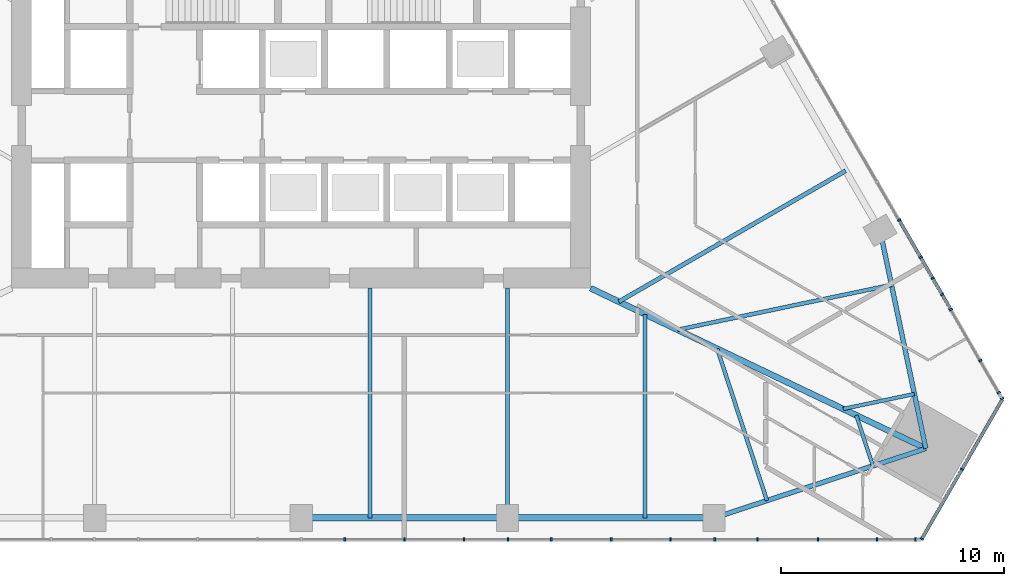
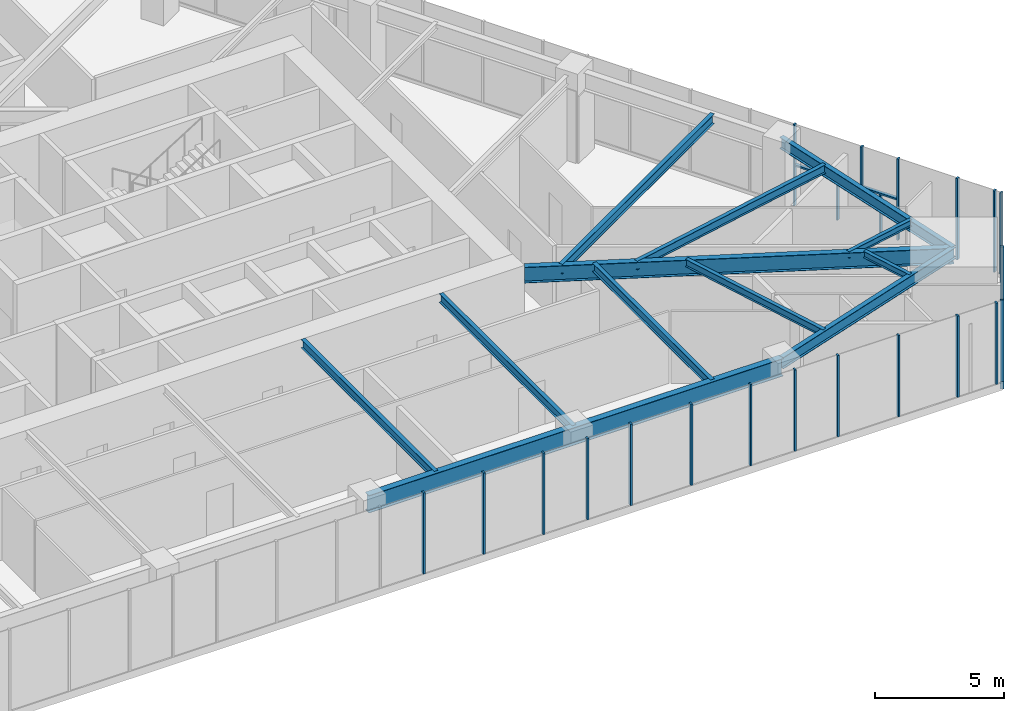
# One storey, part 6 of 22: 24 members, 12 beams, 3 elements without a shape of their own.
"""IFC4 building model written with IfcOpenShell, lengths in metres."""

from ifc_helpers import new_model, si_unit, direction, frame, origin, origin_2d, place, context, subcontext, project, spatial, rectangle, i_section, extrude, material, layer, layer_set, material_profile, profile_set, type_object, element, aggregate, save


model = new_model("IFC4")

# Units and contexts
model_context = context("Model", 3, precision=1e-05, world=origin(), true_north=direction((0.0, 1.0)))
body_context = subcontext(model_context, "Body", "Model", "MODEL_VIEW")
ifc_project = project(units=[si_unit("LENGTHUNIT", "METRE"), si_unit("AREAUNIT", "SQUARE_METRE"), si_unit("VOLUMEUNIT", "CUBIC_METRE"), si_unit("PLANEANGLEUNIT", "RADIAN"), si_unit("MASSUNIT", "GRAM", prefix="KILO")], contexts=[model_context])

# Site, building, storey
site_placement = place(None, origin())
site = spatial("IfcSite", under=ifc_project, at=site_placement, CompositionType="ELEMENT")
building_placement = place(site_placement, origin())
building = spatial("IfcBuilding", under=site, at=building_placement, Name="Firuza Gate Tower and Library", CompositionType="ELEMENT")
storey_placement = place(building_placement, frame((0.0, 0.0, 128.199951171875)))
storey = spatial("IfcBuildingStorey", under=building, at=storey_placement, Name="L29", CompositionType="ELEMENT", Elevation=128.199951171875)

# Curtain wall, members
ifc_material_1 = material(Name="Aluminium 6063-T6", Category="aluminium")
ifc_layer_1 = layer(ifc_material_1, 0.14990234375)
ifc_layer_set_1 = layer_set([ifc_layer_1], Name="Unitised curtain wall, offices")
curtain_wall_type_1 = type_object("IfcCurtainWallType", Name="Unitised curtain wall, offices", PredefinedType="NOTDEFINED", material=ifc_layer_set_1)
placement = place(storey_placement, origin())
curtain_wall_1 = element("IfcCurtainWall", 1, at=placement, inside=storey, type_object=curtain_wall_type_1, Name="CW1 L29 S face", PredefinedType="NOTDEFINED")
ifc_material_2 = material(Name="Aluminium 6063-T6", Category="aluminium")
ifc_material_profile_1 = material_profile(ifc_material_2, rectangle(XDim=0.14990234375, YDim=0.080078125, at=origin_2d()))
ifc_profile_set_1 = profile_set([ifc_material_profile_1], Name="Aluminium 6063-T6")
member_type_1 = type_object("IfcMemberType", Name="Curtain wall mullion 80x150", PredefinedType="MULLION", material=ifc_profile_set_1)
member_1_placement = place(storey_placement, frame((79.643310546875, 54.7080078125, 0.150146484375), z_axis=(0.0, 0.0, 1.0), x_axis=(0.0, 1.0, 0.0)))
member_1 = element("IfcMember", 2, at=member_1_placement, type_object=member_type_1, Name="Mullion", PredefinedType="MULLION", context=body_context, shape_type="SweptSolid", body=[
    extrude(rectangle(XDim=0.14990234375, YDim=0.080078125, at=origin_2d()), origin(), (0.0, 0.0, 1.0), 3.849853515625),
])
member_2_placement = place(storey_placement, frame((84.28662109375, 54.7080078125, 0.150146484375), z_axis=(0.0, 0.0, 1.0), x_axis=(0.0, 1.0, 0.0)))
member_2 = element("IfcMember", 3, at=member_2_placement, type_object=member_type_1, Name="Mullion", PredefinedType="MULLION", context=body_context, shape_type="SweptSolid", body=[
    extrude(rectangle(XDim=0.14990234375, YDim=0.080078125, at=origin_2d()), origin(), (0.0, 0.0, 1.0), 3.849853515625),
])
member_3_placement = place(storey_placement, frame((88.93017578125, 54.7080078125, 0.150146484375), z_axis=(0.0, 0.0, 1.0), x_axis=(0.0, 1.0, 0.0)))
member_3 = element("IfcMember", 4, at=member_3_placement, type_object=member_type_1, Name="Mullion", PredefinedType="MULLION", context=body_context, shape_type="SweptSolid", body=[
    extrude(rectangle(XDim=0.14990234375, YDim=0.080078125, at=origin_2d()), origin(), (0.0, 0.0, 1.0), 3.849853515625),
])
member_4_placement = place(storey_placement, frame((93.573486328125, 54.7080078125, 0.150146484375), z_axis=(0.0, 0.0, 1.0), x_axis=(0.0, 1.0, 0.0)))
member_4 = element("IfcMember", 5, at=member_4_placement, type_object=member_type_1, Name="Mullion", PredefinedType="MULLION", context=body_context, shape_type="SweptSolid", body=[
    extrude(rectangle(XDim=0.14990234375, YDim=0.080078125, at=origin_2d()), origin(), (0.0, 0.0, 1.0), 3.849853515625),
])
member_5_placement = place(storey_placement, frame((98.216796875, 54.7080078125, 0.150146484375), z_axis=(0.0, 0.0, 1.0), x_axis=(0.0, 1.0, 0.0)))
member_5 = element("IfcMember", 6, at=member_5_placement, type_object=member_type_1, Name="Mullion", PredefinedType="MULLION", context=body_context, shape_type="SweptSolid", body=[
    extrude(rectangle(XDim=0.14990234375, YDim=0.080078125, at=origin_2d()), origin(), (0.0, 0.0, 1.0), 3.849853515625),
])
member_6_placement = place(storey_placement, frame((76.9560546875, 54.7080078125, 0.150146484375), z_axis=(0.0, 0.0, 1.0), x_axis=(0.0, 1.0, 0.0)))
member_6 = element("IfcMember", 7, at=member_6_placement, type_object=member_type_1, Name="Mullion", PredefinedType="MULLION", context=body_context, shape_type="SweptSolid", body=[
    extrude(rectangle(XDim=0.14990234375, YDim=0.080078125, at=origin_2d()), origin(), (0.0, 0.0, 1.0), 3.849853515625),
])
member_7_placement = place(storey_placement, frame((82.316162109375, 54.7080078125, 0.150146484375), z_axis=(0.0, 0.0, 1.0), x_axis=(0.0, 1.0, 0.0)))
member_7 = element("IfcMember", 8, at=member_7_placement, type_object=member_type_1, Name="Mullion", PredefinedType="MULLION", context=body_context, shape_type="SweptSolid", body=[
    extrude(rectangle(XDim=0.14990234375, YDim=0.080078125, at=origin_2d()), origin(), (0.0, 0.0, 1.0), 3.849853515625),
])
member_8_placement = place(storey_placement, frame((86.228271484375, 54.7080078125, 0.150146484375), z_axis=(0.0, 0.0, 1.0), x_axis=(0.0, 1.0, 0.0)))
member_8 = element("IfcMember", 9, at=member_8_placement, type_object=member_type_1, Name="Mullion", PredefinedType="MULLION", context=body_context, shape_type="SweptSolid", body=[
    extrude(rectangle(XDim=0.14990234375, YDim=0.080078125, at=origin_2d()), origin(), (0.0, 0.0, 1.0), 3.849853515625),
])
member_9_placement = place(storey_placement, frame((91.58837890625, 54.7080078125, 0.150146484375), z_axis=(0.0, 0.0, 1.0), x_axis=(0.0, 1.0, 0.0)))
member_9 = element("IfcMember", 10, at=member_9_placement, type_object=member_type_1, Name="Mullion", PredefinedType="MULLION", context=body_context, shape_type="SweptSolid", body=[
    extrude(rectangle(XDim=0.14990234375, YDim=0.080078125, at=origin_2d()), origin(), (0.0, 0.0, 1.0), 3.849853515625),
])
member_10_placement = place(storey_placement, frame((95.500732421875, 54.7080078125, 0.150146484375), z_axis=(0.0, 0.0, 1.0), x_axis=(0.0, 1.0, 0.0)))
member_10 = element("IfcMember", 11, at=member_10_placement, type_object=member_type_1, Name="Mullion", PredefinedType="MULLION", context=body_context, shape_type="SweptSolid", body=[
    extrude(rectangle(XDim=0.14990234375, YDim=0.080078125, at=origin_2d()), origin(), (0.0, 0.0, 1.0), 3.849853515625),
])
member_11_placement = place(storey_placement, frame((100.86083984375, 54.7080078125, 0.150146484375), z_axis=(0.0, 0.0, 1.0), x_axis=(0.0, 1.0, 0.0)))
member_11 = element("IfcMember", 12, at=member_11_placement, type_object=member_type_1, Name="Mullion", PredefinedType="MULLION", context=body_context, shape_type="SweptSolid", body=[
    extrude(rectangle(XDim=0.14990234375, YDim=0.080078125, at=origin_2d()), origin(), (0.0, 0.0, 1.0), 3.849853515625),
])
member_12_placement = place(storey_placement, frame((102.593994140625, 54.7080078125, 0.150146484375), z_axis=(0.0, 0.0, 1.0), x_axis=(0.0, 1.0, 0.0)))
member_12 = element("IfcMember", 13, at=member_12_placement, type_object=member_type_1, Name="Mullion", PredefinedType="MULLION", context=body_context, shape_type="SweptSolid", body=[
    extrude(rectangle(XDim=0.14990234375, YDim=0.080078125, at=origin_2d()), origin(), (0.0, 0.0, 1.0), 3.849853515625),
])
aggregate(curtain_wall_1, [member_1, member_2, member_3, member_4, member_5, member_6, member_7, member_8, member_9, member_10, member_11, member_12])

ifc_material_3 = material(Name="Aluminium 6063-T6", Category="aluminium")
ifc_layer_2 = layer(ifc_material_3, 0.14990234375)
ifc_layer_set_2 = layer_set([ifc_layer_2], Name="Corner curtain wall, chamfers")
curtain_wall_type_2 = type_object("IfcCurtainWallType", Name="Corner curtain wall, chamfers", PredefinedType="NOTDEFINED", material=ifc_layer_set_2)
curtain_wall_2 = element("IfcCurtainWall", 14, at=placement, inside=storey, type_object=curtain_wall_type_2, Name="CW4 L29 SE corner", PredefinedType="NOTDEFINED")
member_13_placement = place(storey_placement, frame((102.880126953125, 54.74267578125, 0.150146484375), z_axis=(0.0, 0.0, 1.0), x_axis=(-0.866025403784, 0.5, 0.0)))
member_13 = element("IfcMember", 15, at=member_13_placement, type_object=member_type_1, Name="Mullion", PredefinedType="MULLION", context=body_context, shape_type="SweptSolid", body=[
    extrude(rectangle(XDim=0.14990234375, YDim=0.080078125, at=origin_2d()), origin(), (0.0, 0.0, 1.0), 3.849853515625),
])
member_14_placement = place(storey_placement, frame((104.681884765625, 57.86328125, 0.150146484375), z_axis=(0.0, 0.0, 1.0), x_axis=(-0.866025403784, 0.5, 0.0)))
member_14 = element("IfcMember", 16, at=member_14_placement, type_object=member_type_1, Name="Mullion", PredefinedType="MULLION", context=body_context, shape_type="SweptSolid", body=[
    extrude(rectangle(XDim=0.14990234375, YDim=0.080078125, at=origin_2d()), origin(), (0.0, 0.0, 1.0), 3.849853515625),
])

curtain_wall_3 = element("IfcCurtainWall", 17, at=placement, inside=storey, type_object=curtain_wall_type_1, Name="CW1 L29 E face", PredefinedType="NOTDEFINED")
member_15_placement = place(storey_placement, frame((106.4833984375, 61.052978515625, 0.150146484375), z_axis=(0.0, 0.0, 1.0), x_axis=(-0.866025403784, -0.5, 0.0)))
member_15 = element("IfcMember", 18, at=member_15_placement, type_object=member_type_1, Name="Mullion", PredefinedType="MULLION", context=body_context, shape_type="SweptSolid", body=[
    extrude(rectangle(XDim=0.14990234375, YDim=0.080078125, at=origin_2d()), origin(), (0.0, 0.0, 1.0), 3.849853515625),
])
member_16_placement = place(storey_placement, frame((104.181884765625, 65.03955078125, 0.150146484375), z_axis=(0.0, 0.0, 1.0), x_axis=(-0.866025403784, -0.5, 0.0)))
member_16 = element("IfcMember", 19, at=member_16_placement, type_object=member_type_1, Name="Mullion", PredefinedType="MULLION", context=body_context, shape_type="SweptSolid", body=[
    extrude(rectangle(XDim=0.14990234375, YDim=0.080078125, at=origin_2d()), origin(), (0.0, 0.0, 1.0), 3.849853515625),
])
member_17_placement = place(storey_placement, frame((101.860107421875, 69.06103515625, 0.150146484375), z_axis=(0.0, 0.0, 1.0), x_axis=(-0.866025403784, -0.5, 0.0)))
member_17 = element("IfcMember", 20, at=member_17_placement, type_object=member_type_1, Name="Mullion", PredefinedType="MULLION", context=body_context, shape_type="SweptSolid", body=[
    extrude(rectangle(XDim=0.14990234375, YDim=0.080078125, at=origin_2d()), origin(), (0.0, 0.0, 1.0), 3.849853515625),
])
member_18_placement = place(storey_placement, frame((106.337890625, 61.30517578125, 0.150146484375), z_axis=(0.0, 0.0, 1.0), x_axis=(-0.866025403784, -0.5, 0.0)))
member_18 = element("IfcMember", 21, at=member_18_placement, type_object=member_type_1, Name="Mullion", PredefinedType="MULLION", context=body_context, shape_type="SweptSolid", body=[
    extrude(rectangle(XDim=0.14990234375, YDim=0.080078125, at=origin_2d()), origin(), (0.0, 0.0, 1.0), 3.849853515625),
])
member_19_placement = place(storey_placement, frame((105.503662109375, 62.75, 0.150146484375), z_axis=(0.0, 0.0, 1.0), x_axis=(-0.866025403784, -0.5, 0.0)))
member_19 = element("IfcMember", 22, at=member_19_placement, type_object=member_type_1, Name="Mullion", PredefinedType="MULLION", context=body_context, shape_type="SweptSolid", body=[
    extrude(rectangle(XDim=0.14990234375, YDim=0.080078125, at=origin_2d()), origin(), (0.0, 0.0, 1.0), 3.849853515625),
])
member_20_placement = place(storey_placement, frame((103.78857421875, 65.720458984375, 0.150146484375), z_axis=(0.0, 0.0, 1.0), x_axis=(-0.866025403784, -0.5, 0.0)))
member_20 = element("IfcMember", 23, at=member_20_placement, type_object=member_type_1, Name="Mullion", PredefinedType="MULLION", context=body_context, shape_type="SweptSolid", body=[
    extrude(rectangle(XDim=0.14990234375, YDim=0.080078125, at=origin_2d()), origin(), (0.0, 0.0, 1.0), 1.885009765625),
])
member_21_placement = place(storey_placement, frame((102.82373046875, 67.391845703125, 0.150146484375), z_axis=(0.0, 0.0, 1.0), x_axis=(-0.866025403784, -0.5, 0.0)))
member_21 = element("IfcMember", 24, at=member_21_placement, type_object=member_type_1, Name="Mullion", PredefinedType="MULLION", context=body_context, shape_type="SweptSolid", body=[
    extrude(rectangle(XDim=0.14990234375, YDim=0.080078125, at=origin_2d()), origin(), (0.0, 0.0, 1.0), 1.885009765625),
])
member_22_placement = place(storey_placement, frame((103.365966796875, 66.45263671875, 2.114990234375), z_axis=(0.0, 0.0, 1.0), x_axis=(-0.866025403784, -0.5, 0.0)))
member_22 = element("IfcMember", 25, at=member_22_placement, type_object=member_type_1, Name="Mullion", PredefinedType="MULLION", context=body_context, shape_type="SweptSolid", body=[
    extrude(rectangle(XDim=0.14990234375, YDim=0.080078125, at=origin_2d()), origin(), (0.0, 0.0, 1.0), 1.885009765625),
])

# Member
ifc_material_4 = material(Name="Aluminium 6063-T6", Category="aluminium")
ifc_material_profile_2 = material_profile(ifc_material_4, rectangle(XDim=0.14990234375, YDim=0.35009765625, at=origin_2d()))
ifc_profile_set_2 = profile_set([ifc_material_profile_2], Name="Aluminium 6063-T6")
member_type_2 = type_object("IfcMemberType", Name="Curtain wall transom 350x150", PredefinedType="USERDEFINED", material=ifc_profile_set_2)
member_23_placement = place(storey_placement, frame((102.860107421875, 54.7080078125, -0.02490234375), z_axis=(0.500005719219, 0.866022101766, 0.0), x_axis=(-0.866022101766, 0.500005719219, 0.0)))
member_23 = element("IfcMember", 26, at=member_23_placement, type_object=member_type_2, Name="Transom", ObjectType="TRANSOM", PredefinedType="USERDEFINED", context=body_context, shape_type="SweptSolid", body=[
    extrude(rectangle(XDim=0.14990234375, YDim=0.35009765625, at=origin_2d()), origin(), (0.0, 0.0, 1.0), 7.28662109375),
])

aggregate(curtain_wall_2, [member_13, member_14, member_23])

ifc_material_5 = material(Name="Aluminium 6063-T6", Category="aluminium")
ifc_material_profile_3 = material_profile(ifc_material_5, rectangle(XDim=0.14990234375, YDim=0.080078125, at=origin_2d()))
ifc_profile_set_3 = profile_set([ifc_material_profile_3], Name="Aluminium 6063-T6")
member_type_3 = type_object("IfcMemberType", Name="Curtain wall transom 80x150", PredefinedType="USERDEFINED", material=ifc_profile_set_3)
member_24_placement = place(storey_placement, frame((104.161865234375, 65.07421875, 2.074951171875), z_axis=(-0.499994135611, 0.866028789565, 0.0), x_axis=(-0.866028789565, -0.499994135611, 0.0)))
member_24 = element("IfcMember", 27, at=member_24_placement, type_object=member_type_3, Name="Transom", ObjectType="TRANSOM", PredefinedType="USERDEFINED", context=body_context, shape_type="SweptSolid", body=[
    extrude(rectangle(XDim=0.14990234375, YDim=0.080078125, at=origin_2d()), origin(), (0.0, 0.0, 1.0), 4.5634765625),
])

aggregate(curtain_wall_3, [member_15, member_16, member_17, member_18, member_19, member_20, member_21, member_22, member_24])

# Beams
ifc_material_6 = material(Name="Steel S355", Category="steel")
ifc_material_profile_4 = material_profile(ifc_material_6, i_section(OverallWidth=0.1650390625, OverallDepth=0.31005859375, WebThickness=0.005859375, FlangeThickness=0.009765625, at=origin_2d()))
ifc_profile_set_4 = profile_set([ifc_material_profile_4], Name="Steel S355")
beam_type_1 = type_object("IfcBeamType", Name="W310x39 Floor beam", PredefinedType="JOIST", material=ifc_profile_set_4)
beam_1_placement = place(storey_placement, frame((100.6796875, 58.021240234375, 3.844970703125), z_axis=(-0.311446407366, 0.950263718837, 0.0), x_axis=(-0.950263718837, -0.311446407366, 0.0)))
element("IfcBeam", 28, at=beam_1_placement, inside=storey, type_object=beam_type_1, Name="Floor beam L29 s31", PredefinedType="JOIST", context=body_context, shape_type="SweptSolid", body=[
    extrude(i_section(OverallWidth=0.1650390625, OverallDepth=0.31005859375, WebThickness=0.005859375, FlangeThickness=0.009765625, at=origin_2d()), origin(), (0.0, 0.0, 1.0), 2.3916015625),
])
beam_2_placement = place(storey_placement, frame((102.5439453125, 61.250244140625, 3.844970703125), z_axis=(-0.978668348175, -0.2054464998, 0.0), x_axis=(0.2054464998, -0.978668348175, 0.0)))
element("IfcBeam", 29, at=beam_2_placement, inside=storey, type_object=beam_type_1, Name="Floor beam L29 s40", PredefinedType="JOIST", context=body_context, shape_type="SweptSolid", body=[
    extrude(i_section(OverallWidth=0.1650390625, OverallDepth=0.31005859375, WebThickness=0.005859375, FlangeThickness=0.009765625, at=origin_2d()), origin(), (0.0, 0.0, 1.0), 3.272705078125),
])
ifc_material_7 = material(Name="Steel S355", Category="steel")
ifc_material_profile_5 = material_profile(ifc_material_7, i_section(OverallWidth=0.1708984375, OverallDepth=0.35498046875, WebThickness=0.007080078125, FlangeThickness=0.01171875, at=origin_2d()))
ifc_profile_set_5 = profile_set([ifc_material_profile_5], Name="Steel S355")
beam_type_2 = type_object("IfcBeamType", Name="W360x51 Floor beam", PredefinedType="JOIST", material=ifc_profile_set_5)
beam_3_placement = place(storey_placement, frame((95.9228515625, 56.46240234375, 3.822509765625), z_axis=(-0.311395022273, 0.950280558627, 0.0), x_axis=(-0.950280558627, -0.311395022273, 0.0)))
element("IfcBeam", 30, at=beam_3_placement, inside=storey, type_object=beam_type_2, Name="Floor beam L29 s30", PredefinedType="JOIST", context=body_context, shape_type="SweptSolid", body=[
    extrude(i_section(OverallWidth=0.1708984375, OverallDepth=0.35498046875, WebThickness=0.007080078125, FlangeThickness=0.01171875, at=origin_2d()), origin(), (0.0, 0.0, 1.0), 7.174560546875),
])
ifc_material_8 = material(Name="Steel S355", Category="steel")
ifc_material_profile_6 = material_profile(ifc_material_8, i_section(OverallWidth=0.177978515625, OverallDepth=0.406982421875, WebThickness=0.0078125, FlangeThickness=0.0126953125, at=origin_2d()))
ifc_profile_set_6 = profile_set([ifc_material_profile_6], Name="Steel S355")
beam_type_3 = type_object("IfcBeamType", Name="W410x60 Floor beam", PredefinedType="JOIST", material=ifc_profile_set_6)
for number, where, z_axis, x_axis, name in (
    (31, (78.0908203125, 55.68310546875, 3.796630859375), (0.0, 1.0, 0.0), (-1.0, 0.0, 0.0), "Floor beam L29 s23"),
    (32, (84.272216796875, 55.68310546875, 3.796630859375), (0.0, 1.0, 0.0), (-1.0, 0.0, 0.0), "Floor beam L29 s24"),
):
    element("IfcBeam", number, at=place(storey_placement, frame(where, z_axis=z_axis, x_axis=x_axis)), inside=storey, type_object=beam_type_3, Name=name, PredefinedType="JOIST", context=body_context, shape_type="SweptSolid", body=[
        extrude(i_section(OverallWidth=0.177978515625, OverallDepth=0.406982421875, WebThickness=0.0078125, FlangeThickness=0.0126953125, at=origin_2d()), origin(), (0.0, 0.0, 1.0), 10.31689453125),
    ])
beam_4_placement = place(storey_placement, frame((90.453857421875, 55.68310546875, 3.796630859375), z_axis=(0.0, 1.0, 0.0), x_axis=(-1.0, 0.0, 0.0)))
element("IfcBeam", 33, at=beam_4_placement, inside=storey, type_object=beam_type_3, Name="Floor beam L29 s25", PredefinedType="JOIST", context=body_context, shape_type="SweptSolid", body=[
    extrude(i_section(OverallWidth=0.177978515625, OverallDepth=0.406982421875, WebThickness=0.0078125, FlangeThickness=0.0126953125, at=origin_2d()), origin(), (0.0, 0.0, 1.0), 9.143798828125),
])
beam_5_placement = place(storey_placement, frame((101.515380859375, 66.14892578125, 3.796630859375), z_axis=(-0.978672298286, -0.205427682085, 0.0), x_axis=(0.205427682085, -0.978672298286, 0.0)))
element("IfcBeam", 34, at=beam_5_placement, inside=storey, type_object=beam_type_3, Name="Floor beam L29 s41", PredefinedType="JOIST", context=body_context, shape_type="SweptSolid", body=[
    extrude(i_section(OverallWidth=0.177978515625, OverallDepth=0.406982421875, WebThickness=0.0078125, FlangeThickness=0.0126953125, at=origin_2d()), origin(), (0.0, 0.0, 1.0), 9.81787109375),
])
ifc_material_9 = material(Name="Steel S355", Category="steel")
ifc_material_profile_7 = material_profile(ifc_material_9, i_section(OverallWidth=0.18994140625, OverallDepth=0.45703125, WebThickness=0.009033203125, FlangeThickness=0.014404296875, at=origin_2d()))
ifc_profile_set_7 = profile_set([ifc_material_profile_7], Name="Steel S355")
beam_type_4 = type_object("IfcBeamType", Name="W460x74 Floor beam", PredefinedType="JOIST", material=ifc_profile_set_7)
beam_6_placement = place(storey_placement, frame((99.455810546875, 71.275146484375, 3.771484375), z_axis=(-0.866026254694, -0.499998526178, 0.0), x_axis=(0.499998526178, -0.866026254694, 0.0)))
element("IfcBeam", 35, at=beam_6_placement, inside=storey, type_object=beam_type_4, Name="Floor beam L29 s50", PredefinedType="JOIST", context=body_context, shape_type="SweptSolid", body=[
    extrude(i_section(OverallWidth=0.18994140625, OverallDepth=0.45703125, WebThickness=0.009033203125, FlangeThickness=0.014404296875, at=origin_2d()), origin(), (0.0, 0.0, 1.0), 11.76318359375),
])
ifc_material_10 = material(Name="Steel S355", Category="steel")
ifc_material_profile_8 = material_profile(ifc_material_10, i_section(OverallWidth=0.212890625, OverallDepth=0.5390625, WebThickness=0.01171875, FlangeThickness=0.018798828125, at=origin_2d()))
ifc_profile_set_8 = profile_set([ifc_material_profile_8], Name="Steel S355")
beam_type_5 = type_object("IfcBeamType", Name="W530x109 Edge beam", PredefinedType="SPANDREL", material=ifc_profile_set_8)
for number, where, z_axis, x_axis, name in (
    (36, (93.544677734375, 55.68310546875, 3.73046875), (0.950273322164, 0.311417104833, 0.0), (-0.311417104833, 0.950273322164, 0.0), "Edge beam L29 e30"),
    (37, (103.05810546875, 58.80078125, 3.73046875), (-0.205458608485, 0.978665806187, 0.0), (-0.978665806187, -0.205458608485, 0.0), "Edge beam L29 e40"),
):
    element("IfcBeam", number, at=place(storey_placement, frame(where, z_axis=z_axis, x_axis=x_axis)), inside=storey, type_object=beam_type_5, Name=name, PredefinedType="SPANDREL", context=body_context, shape_type="SweptSolid", body=[
        extrude(i_section(OverallWidth=0.212890625, OverallDepth=0.5390625, WebThickness=0.01171875, FlangeThickness=0.018798828125, at=origin_2d()), origin(), (0.0, 0.0, 1.0), 10.01123046875),
    ])
ifc_material_11 = material(Name="Steel S355", Category="steel")
ifc_material_profile_9 = material_profile(ifc_material_11, i_section(OverallWidth=0.264892578125, OverallDepth=0.7529296875, WebThickness=0.01318359375, FlangeThickness=0.01708984375, at=origin_2d()))
ifc_profile_set_9 = profile_set([ifc_material_profile_9], Name="Steel S355")
beam_type_6 = type_object("IfcBeamType", Name="W760x147 Girder", PredefinedType="BEAM", material=ifc_profile_set_9)
beam_7_placement = place(storey_placement, frame((103.05810546875, 58.80078125, 3.62353515625), z_axis=(-0.902192138225, 0.431334378092, 0.0), x_axis=(-0.431334378092, -0.902192138225, 0.0)))
element("IfcBeam", 38, at=beam_7_placement, inside=storey, type_object=beam_type_6, Name="Girder L29 gSE", PredefinedType="BEAM", context=body_context, shape_type="SweptSolid", body=[
    extrude(i_section(OverallWidth=0.264892578125, OverallDepth=0.7529296875, WebThickness=0.01318359375, FlangeThickness=0.01708984375, at=origin_2d()), origin(), (0.0, 0.0, 1.0), 16.690673828125),
])
ifc_material_12 = material(Name="Steel S355", Category="steel")
ifc_material_profile_10 = material_profile(ifc_material_12, i_section(OverallWidth=0.2919921875, OverallDepth=0.8349609375, WebThickness=0.013916015625, FlangeThickness=0.018798828125, at=origin_2d()))
ifc_profile_set_10 = profile_set([ifc_material_profile_10], Name="Steel S355")
beam_type_7 = type_object("IfcBeamType", Name="W840x176 Edge beam", PredefinedType="SPANDREL", material=ifc_profile_set_10)
beam_8_placement = place(storey_placement, frame((75.0, 55.68310546875, 3.58251953125), z_axis=(1.0, 0.0, 0.0), x_axis=(0.0, 1.0, 0.0)))
element("IfcBeam", 39, at=beam_8_placement, inside=storey, type_object=beam_type_7, Name="Edge beam L29 e22", PredefinedType="SPANDREL", context=body_context, shape_type="SweptSolid", body=[
    extrude(i_section(OverallWidth=0.2919921875, OverallDepth=0.8349609375, WebThickness=0.013916015625, FlangeThickness=0.018798828125, at=origin_2d()), origin(), (0.0, 0.0, 1.0), 18.544677734375),
])

save(model, "model.ifc")
